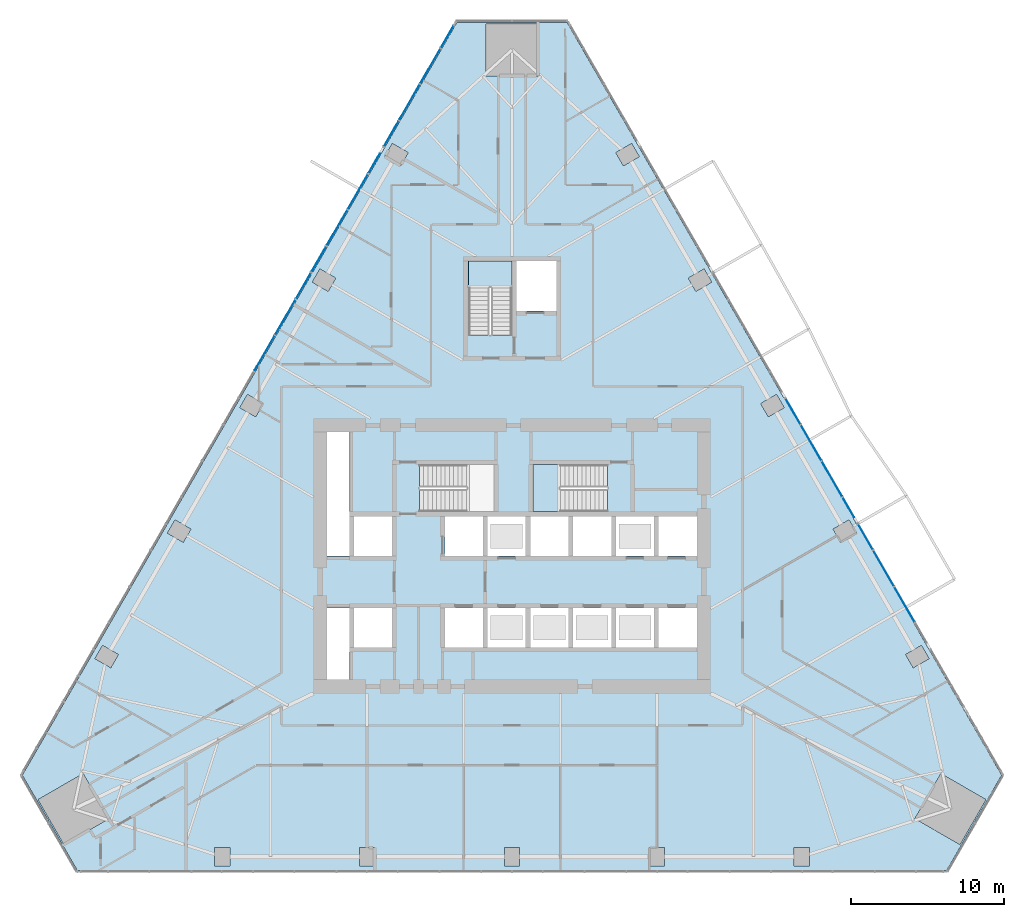
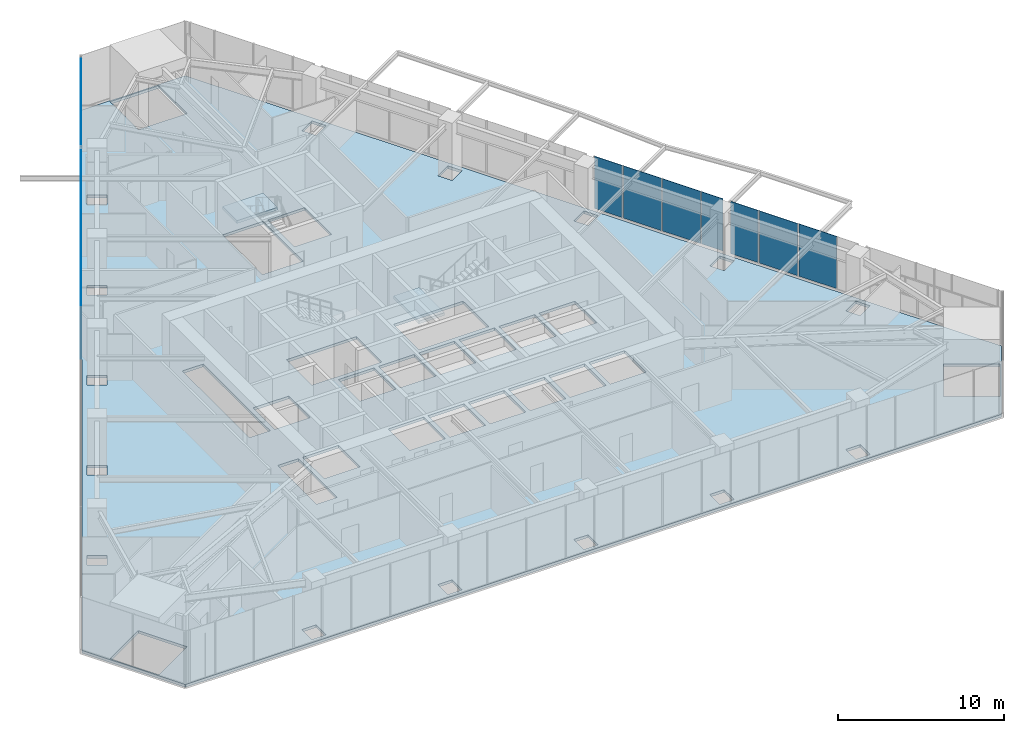
# One storey, part 16 of 26: 18 plates, 3 slabs, 4 elements without a shape of their own.
"""IFC4 building model written with IfcOpenShell, lengths in metres."""

from ifc_helpers import new_model, si_unit, direction, frame, origin, place, context, subcontext, project, spatial, polyline, outline, extrude, material, layer, layer_set, type_object, element, aggregate, save


model = new_model("IFC4")

# Units and contexts
model_context = context("Model", 3, precision=1e-05, world=origin(), true_north=direction((0.0, 1.0)))
body_context = subcontext(model_context, "Body", "Model", "MODEL_VIEW")
ifc_project = project(units=[si_unit("LENGTHUNIT", "METRE"), si_unit("AREAUNIT", "SQUARE_METRE"), si_unit("VOLUMEUNIT", "CUBIC_METRE"), si_unit("PLANEANGLEUNIT", "RADIAN"), si_unit("MASSUNIT", "GRAM", prefix="KILO")], contexts=[model_context])

# Site, building, storey
site_placement = place(None, origin())
site = spatial("IfcSite", under=ifc_project, at=site_placement, CompositionType="ELEMENT")
building_placement = place(site_placement, origin())
building = spatial("IfcBuilding", under=site, at=building_placement, Name="Firuza Gate Tower and Library", CompositionType="ELEMENT")
storey_placement = place(building_placement, frame((0.0, 0.0, 77.800048828125)))
storey = spatial("IfcBuildingStorey", under=building, at=storey_placement, Name="L17", CompositionType="ELEMENT", Elevation=77.800048828125)

# Slab
ifc_material_1 = material(Name="Concrete C40/50", Category="concrete")
ifc_layer_1 = layer(ifc_material_1, 0.199951171875)
ifc_layer_set_1 = layer_set([ifc_layer_1], Name="Composite floor slab 200 C40/50")
slab_type_1 = type_object("IfcSlabType", Name="Composite floor slab 200 C40/50", PredefinedType="FLOOR", material=ifc_layer_set_1)
slab_1_placement = place(storey_placement, frame((0.0, 0.0, -0.199951171875)))
element("IfcSlab", 1, at=slab_1_placement, inside=storey, type_object=slab_type_1, Name="Floor slab L17", PredefinedType="FLOOR", context=body_context, shape_type="SweptSolid", body=[
    extrude(outline(polyline([(42.944091796875, 60.6494140625), (46.544189453125, 54.4140625), (103.455810546875, 54.4140625), (107.055908203125, 60.6494140625), (78.60009765625, 109.9365234375), (71.39990234375, 109.9365234375), (42.944091796875, 60.6494140625)]), holes=[polyline([(55.529296875, 54.714111328125), (55.529296875, 55.9140625), (56.529296875, 55.9140625), (56.529296875, 54.714111328125), (55.529296875, 54.714111328125)]), polyline([(65.0146484375, 54.714111328125), (65.0146484375, 55.9140625), (66.0146484375, 55.9140625), (66.0146484375, 54.714111328125), (65.0146484375, 54.714111328125)]), polyline([(43.980712890625, 59.053955078125), (46.92529296875, 60.75390625), (48.625244140625, 57.8095703125), (45.6806640625, 56.109619140625), (43.980712890625, 59.053955078125)]), polyline([(48.196533203125, 69.14697265625), (49.23583984375, 68.546875), (48.73583984375, 67.680908203125), (47.696533203125, 68.281005859375), (48.196533203125, 69.14697265625)]), polyline([(64.35009765625, 66.89990234375), (62.89990234375, 66.89990234375), (62.89990234375, 71.60009765625), (64.35009765625, 71.60009765625), (64.35009765625, 66.89990234375)]), polyline([(75.89990234375, 69.0), (73.39990234375, 69.0), (73.39990234375, 71.60009765625), (75.89990234375, 71.60009765625), (75.89990234375, 69.0)]), polyline([(73.10009765625, 69.0), (70.60009765625, 69.0), (70.60009765625, 71.60009765625), (73.10009765625, 71.60009765625), (73.10009765625, 69.0)]), polyline([(64.64990234375, 69.0), (64.64990234375, 71.60009765625), (67.14990234375, 71.60009765625), (67.14990234375, 69.0), (64.64990234375, 69.0)]), polyline([(64.64990234375, 75.0), (64.64990234375, 77.60009765625), (67.14990234375, 77.60009765625), (67.14990234375, 75.0), (64.64990234375, 75.0)]), polyline([(75.89990234375, 75.0), (73.39990234375, 75.0), (73.39990234375, 77.60009765625), (75.89990234375, 77.60009765625), (75.89990234375, 75.0)]), polyline([(73.10009765625, 75.0), (70.60009765625, 75.0), (70.60009765625, 77.60009765625), (73.10009765625, 77.60009765625), (73.10009765625, 75.0)]), polyline([(52.939208984375, 77.361572265625), (53.978515625, 76.761474609375), (53.478515625, 75.8955078125), (52.439208984375, 76.495361328125), (52.939208984375, 77.361572265625)]), polyline([(62.89990234375, 75.0), (62.89990234375, 83.10009765625), (64.35009765625, 83.10009765625), (64.35009765625, 75.0), (62.89990234375, 75.0)]), polyline([(68.9404296875, 77.89990234375), (68.9404296875, 80.97998046875), (73.81005859375, 80.97998046875), (73.81005859375, 77.89990234375), (68.9404296875, 77.89990234375)]), polyline([(57.681884765625, 85.575927734375), (58.72119140625, 84.97607421875), (58.22119140625, 84.10986328125), (57.181884765625, 84.7099609375), (57.681884765625, 85.575927734375)]), polyline([(72.159912109375, 89.470458984375), (72.159912109375, 94.300048828125), (75.0, 94.300048828125), (75.0, 89.470458984375), (72.159912109375, 89.470458984375)]), polyline([(62.424560546875, 93.79052734375), (63.463623046875, 93.1904296875), (62.963623046875, 92.324462890625), (61.924560546875, 92.924560546875), (62.424560546875, 93.79052734375)]), polyline([(68.206298828125, 101.405029296875), (67.706298828125, 100.5390625), (66.667236328125, 101.138916015625), (67.167236328125, 102.005126953125), (68.206298828125, 101.405029296875)]), polyline([(76.699951171875, 106.4365234375), (73.300048828125, 106.4365234375), (73.300048828125, 109.83642578125), (76.699951171875, 109.83642578125), (76.699951171875, 106.4365234375)]), polyline([(93.470703125, 54.714111328125), (93.470703125, 55.9140625), (94.470703125, 55.9140625), (94.470703125, 54.714111328125), (93.470703125, 54.714111328125)]), polyline([(74.5, 54.714111328125), (74.5, 55.9140625), (75.5, 55.9140625), (75.5, 54.714111328125), (74.5, 54.714111328125)]), polyline([(83.9853515625, 54.714111328125), (83.9853515625, 55.9140625), (84.9853515625, 55.9140625), (84.9853515625, 54.714111328125), (83.9853515625, 54.714111328125)]), polyline([(104.3193359375, 56.109619140625), (101.374755859375, 57.8095703125), (103.07470703125, 60.75390625), (106.019287109375, 59.053955078125), (104.3193359375, 56.109619140625)]), polyline([(102.303466796875, 68.281005859375), (101.26416015625, 67.680908203125), (100.76416015625, 68.546875), (101.803466796875, 69.14697265625), (102.303466796875, 68.281005859375)]), polyline([(78.699951171875, 69.0), (76.199951171875, 69.0), (76.199951171875, 71.60009765625), (78.699951171875, 71.60009765625), (78.699951171875, 69.0)]), polyline([(81.5, 69.0), (79.0, 69.0), (79.0, 71.60009765625), (81.5, 71.60009765625), (81.5, 69.0)]), polyline([(84.60009765625, 69.0), (84.60009765625, 71.60009765625), (87.10009765625, 71.60009765625), (87.10009765625, 69.0), (84.60009765625, 69.0)]), polyline([(81.800048828125, 69.0), (81.800048828125, 71.60009765625), (84.300048828125, 71.60009765625), (84.300048828125, 69.0), (81.800048828125, 69.0)]), polyline([(84.300048828125, 75.0), (81.800048828125, 75.0), (81.800048828125, 77.60009765625), (84.300048828125, 77.60009765625), (84.300048828125, 75.0)]), polyline([(87.10009765625, 75.0), (84.60009765625, 75.0), (84.60009765625, 77.60009765625), (87.10009765625, 77.60009765625), (87.10009765625, 75.0)]), polyline([(81.5, 75.0), (79.0, 75.0), (79.0, 77.60009765625), (81.5, 77.60009765625), (81.5, 75.0)]), polyline([(76.199951171875, 75.0), (76.199951171875, 77.60009765625), (78.699951171875, 77.60009765625), (78.699951171875, 75.0), (76.199951171875, 75.0)]), polyline([(96.521484375, 75.8955078125), (96.021484375, 76.761474609375), (97.060791015625, 77.361572265625), (97.560791015625, 76.495361328125), (96.521484375, 75.8955078125)]), polyline([(81.259521484375, 77.89990234375), (76.389892578125, 77.89990234375), (76.389892578125, 80.97998046875), (81.259521484375, 80.97998046875), (81.259521484375, 77.89990234375)]), polyline([(92.818115234375, 84.7099609375), (91.77880859375, 84.10986328125), (91.27880859375, 84.97607421875), (92.318115234375, 85.575927734375), (92.818115234375, 84.7099609375)]), polyline([(77.89990234375, 91.050048828125), (75.300048828125, 91.050048828125), (75.300048828125, 94.300048828125), (77.89990234375, 94.300048828125), (77.89990234375, 91.050048828125)]), polyline([(87.036376953125, 92.324462890625), (86.536376953125, 93.1904296875), (87.575439453125, 93.79052734375), (88.075439453125, 92.924560546875), (87.036376953125, 92.324462890625)]), polyline([(82.293701171875, 100.5390625), (81.793701171875, 101.405029296875), (82.832763671875, 102.005126953125), (83.332763671875, 101.138916015625), (82.293701171875, 100.5390625)])]), origin(), (0.0, 0.0, 1.0), 0.199951171875),
])

# Curtain wall, plates
ifc_material_2 = material(Name="Aluminium 6063-T6", Category="aluminium")
ifc_layer_2 = layer(ifc_material_2, 0.14990234375)
ifc_layer_set_2 = layer_set([ifc_layer_2], Name="Unitised curtain wall, offices")
curtain_wall_type = type_object("IfcCurtainWallType", Name="Unitised curtain wall, offices", PredefinedType="NOTDEFINED", material=ifc_layer_set_2)
placement_1 = place(storey_placement, origin())
curtain_wall_1 = element("IfcCurtainWall", 2, at=placement_1, inside=storey, type_object=curtain_wall_type, Name="CW1 L17 E face", PredefinedType="NOTDEFINED")
ifc_material_3 = material(Name="Fritted glass", Category="glass")
ifc_layer_3 = layer(ifc_material_3, 0.030029296875)
ifc_layer_set_3 = layer_set([ifc_layer_3], Name="Fritted glass unit, offices")
plate_type_1 = type_object("IfcPlateType", Name="Fritted glass unit, offices", PredefinedType="CURTAIN_PANEL", material=ifc_layer_set_3)
plate_1_placement = place(storey_placement, frame((98.633056640625, 75.418212890625, 0.14990234375), z_axis=(0.866045447078, 0.49996528239, 0.0), x_axis=(-0.49996528239, 0.866045447078, 0.0)))
plate_1 = element("IfcPlate", 3, at=plate_1_placement, type_object=plate_type_1, Name="Glass unit", PredefinedType="CURTAIN_PANEL", context=body_context, shape_type="SweptSolid", body=[
    extrude(outline(polyline([(0.0, 0.0), (1.9146837277357356, 0.0), (1.9146837277357356, 3.850097656250001), (0.0, 3.850097656250001), (0.0, 0.0)])), origin(), (0.0, 0.0, -1.0), 0.030029296875),
])
plate_2_placement = place(storey_placement, frame((97.405029296875, 77.545166015625, 0.14990234375), z_axis=(0.8660758765, 0.499912568501, 0.0), x_axis=(-0.499912568501, 0.8660758765, 0.0)))
plate_2 = element("IfcPlate", 4, at=plate_2_placement, type_object=plate_type_1, Name="Glass unit", PredefinedType="CURTAIN_PANEL", context=body_context, shape_type="SweptSolid", body=[
    extrude(outline(polyline([(0.0, 0.0), (1.4821927744228482, 0.0), (1.4821927744228482, 3.85009765625), (0.0, 3.85009765625), (0.0, 0.0)])), origin(), (0.0, 0.0, -1.0), 0.030029296875),
])
plate_3_placement = place(storey_placement, frame((93.890380859375, 83.6328125, 0.14990234375), z_axis=(0.865983229881, 0.500073040231, 0.0), x_axis=(-0.500073040231, 0.865983229881, 0.0)))
plate_3 = element("IfcPlate", 5, at=plate_3_placement, type_object=plate_type_1, Name="Glass unit", PredefinedType="CURTAIN_PANEL", context=body_context, shape_type="SweptSolid", body=[
    extrude(outline(polyline([(0.0, 0.0), (1.9289174416002237, 0.0), (1.9289174416002237, 3.85009765625), (0.0, 3.85009765625), (0.0, 0.0)])), origin(), (0.0, 0.0, -1.0), 0.030029296875),
])

curtain_wall_2 = element("IfcCurtainWall", 6, at=placement_1, inside=storey, type_object=curtain_wall_type, Name="CW1 L17 W face", PredefinedType="NOTDEFINED")
plate_4_placement = place(storey_placement, frame((71.158203125, 109.697509765625, 0.14990234375), z_axis=(-0.865982457891, 0.500074377092, 0.0), x_axis=(-0.500074377092, -0.865982457891, 0.0)))
plate_4 = element("IfcPlate", 7, at=plate_4_placement, type_object=plate_type_1, Name="Glass unit", PredefinedType="CURTAIN_PANEL", context=body_context, shape_type="SweptSolid", body=[
    extrude(outline(polyline([(0.0, 0.0), (1.6413574037178806, 0.0), (1.6413574037178806, 3.85009765625), (0.0, 3.85009765625), (0.0, 0.0)])), origin(), (0.0, 0.0, -1.0), 0.030029296875),
])
plate_5_placement = place(storey_placement, frame((67.56396484375, 103.47216796875, 0.14990234375), z_axis=(-0.865988727248, 0.500063520245, 0.0), x_axis=(-0.500063520245, -0.865988727248, 0.0)))
plate_5 = element("IfcPlate", 8, at=plate_5_placement, type_object=plate_type_1, Name="Glass unit", PredefinedType="CURTAIN_PANEL", context=body_context, shape_type="SweptSolid", body=[
    extrude(outline(polyline([(0.0, 0.0), (1.9001492291121527, 0.0), (1.9001492291121527, 3.85009765625), (0.0, 3.85009765625), (0.0, 0.0)])), origin(), (0.0, 0.0, -1.0), 0.030029296875),
])
plate_6_placement = place(storey_placement, frame((66.3359375, 101.34521484375, 0.14990234375), z_axis=(-0.86603470313, 0.499983892715, 0.0), x_axis=(-0.499983892715, -0.86603470313, 0.0)))
plate_6 = element("IfcPlate", 9, at=plate_6_placement, type_object=plate_type_1, Name="Glass unit", PredefinedType="CURTAIN_PANEL", context=body_context, shape_type="SweptSolid", body=[
    extrude(outline(polyline([(0.0, 0.0), (1.4819813351427495, 0.0), (1.4819813351427495, 3.8500976562499996), (0.0, 3.8500976562499996), (0.0, 0.0)])), origin(), (0.0, 0.0, -1.0), 0.030029296875),
])
plate_7_placement = place(storey_placement, frame((62.8212890625, 95.2578125, 0.14990234375), z_axis=(-0.866045447078, 0.49996528239, 0.0), x_axis=(-0.49996528239, -0.866045447078, 0.0)))
plate_7 = element("IfcPlate", 10, at=plate_7_placement, type_object=plate_type_1, Name="Glass unit", PredefinedType="CURTAIN_PANEL", context=body_context, shape_type="SweptSolid", body=[
    extrude(outline(polyline([(0.0, 0.0), (1.9146837277357356, 0.0), (1.9146837277357356, 3.850097656250001), (0.0, 3.850097656250001), (0.0, 0.0)])), origin(), (0.0, 0.0, -1.0), 0.030029296875),
])
plate_8_placement = place(storey_placement, frame((61.823974609375, 93.5302734375, 0.14990234375), z_axis=(-0.866039152359, 0.499976186015, 0.0), x_axis=(-0.499976186015, -0.866039152359, 0.0)))
plate_8 = element("IfcPlate", 11, at=plate_8_placement, type_object=plate_type_1, Name="Glass unit", PredefinedType="CURTAIN_PANEL", context=body_context, shape_type="SweptSolid", body=[
    extrude(outline(polyline([(0.0, 0.0), (1.943451937670766, 0.0), (1.943451937670766, 3.85009765625), (0.0, 3.85009765625), (0.0, 0.0)])), origin(), (0.0, 0.0, -1.0), 0.030029296875),
])

# Plate
ifc_material_4 = material(Name="Glazed ceramic tile")
ifc_layer_4 = layer(ifc_material_4, 0.030029296875)
ifc_layer_set_4 = layer_set([ifc_layer_4], Name="Opaque ceramic panel, offices")
plate_type_2 = type_object("IfcPlateType", Name="Opaque ceramic panel, offices", PredefinedType="CURTAIN_PANEL", material=ifc_layer_set_4)
plate_9_placement = place(storey_placement, frame((101.36669921875, 70.68359375, 0.14990234375), z_axis=(0.866031112038, 0.499990112884, 0.0), x_axis=(-0.499990112884, 0.866031112038, 0.0)))
plate_9 = element("IfcPlate", 12, at=plate_9_placement, type_object=plate_type_2, Name="Opaque ceramic panel", PredefinedType="CURTAIN_PANEL", context=body_context, shape_type="SweptSolid", body=[
    extrude(outline(polyline([(0.0, 0.0), (2.6318879810630036, 0.0), (2.6318879810630036, 3.85009765625), (0.0, 3.85009765625), (0.0, 0.0)])), origin(), (0.0, 0.0, -1.0), 0.030029296875),
])

plate_10_placement = place(storey_placement, frame((100.0107421875, 73.031982421875, 0.14990234375), z_axis=(0.866027539765, 0.499996300355, 0.0), x_axis=(-0.499996300355, 0.866027539765, 0.0)))
plate_10 = element("IfcPlate", 13, at=plate_10_placement, type_object=plate_type_2, Name="Opaque ceramic panel", PredefinedType="CURTAIN_PANEL", context=body_context, shape_type="SweptSolid", body=[
    extrude(outline(polyline([(0.0, 0.0), (2.6753127641636505, 0.0), (2.6753127641636505, 3.850097656250001), (0.0, 3.850097656250001), (0.0, 0.0)])), origin(), (0.0, 0.0, -1.0), 0.030029296875),
])

plate_11_placement = place(storey_placement, frame((96.6240234375, 78.89794921875, 0.14990234375), z_axis=(0.866031967744, 0.499988630717, 0.0), x_axis=(-0.499988630717, 0.866031967744, 0.0)))
plate_11 = element("IfcPlate", 14, at=plate_11_placement, type_object=plate_type_2, Name="Opaque ceramic panel", PredefinedType="CURTAIN_PANEL", context=body_context, shape_type="SweptSolid", body=[
    extrude(outline(polyline([(0.0, 0.0), (2.6465445536285275, 0.0), (2.6465445536285275, 3.85009765625), (0.0, 3.85009765625), (0.0, 0.0)])), origin(), (0.0, 0.0, -1.0), 0.030029296875),
])

plate_12_placement = place(storey_placement, frame((95.2607421875, 81.259033203125, 0.14990234375), z_axis=(0.86604960586, 0.499958078433, 0.0), x_axis=(-0.499958078433, 0.86604960586, 0.0)))
plate_12 = element("IfcPlate", 15, at=plate_12_placement, type_object=plate_type_2, Name="Opaque ceramic panel", PredefinedType="CURTAIN_PANEL", context=body_context, shape_type="SweptSolid", body=[
    extrude(outline(polyline([(0.0, 0.0), (2.6608676267310196, 0.0), (2.6608676267310196, 3.85009765625), (0.0, 3.85009765625), (0.0, 0.0)])), origin(), (0.0, 0.0, -1.0), 0.030029296875),
])

aggregate(curtain_wall_1, [plate_9, plate_10, plate_1, plate_2, plate_11, plate_12, plate_3])

plate_13_placement = place(storey_placement, frame((70.297607421875, 108.20703125, 0.14990234375), z_axis=(-0.866013176292, 0.50002117804, 0.0), x_axis=(-0.50002117804, -0.866013176292, 0.0)))
plate_13 = element("IfcPlate", 16, at=plate_13_placement, type_object=plate_type_2, Name="Opaque ceramic panel", PredefinedType="CURTAIN_PANEL", context=body_context, shape_type="SweptSolid", body=[
    extrude(outline(polyline([(0.0, 0.0), (2.6175649114610273, 0.0), (2.6175649114610273, 3.85009765625), (0.0, 3.85009765625), (0.0, 0.0)])), origin(), (0.0, 0.0, -1.0), 0.030029296875),
])

plate_14_placement = place(storey_placement, frame((68.94873046875, 105.870849609375, 0.14990234375), z_axis=(-0.866045013077, 0.499966034171, 0.0), x_axis=(-0.499966034171, -0.866045013077, 0.0)))
plate_14 = element("IfcPlate", 17, at=plate_14_placement, type_object=plate_type_2, Name="Opaque ceramic panel", PredefinedType="CURTAIN_PANEL", context=body_context, shape_type="SweptSolid", body=[
    extrude(outline(polyline([(0.0, 0.0), (2.689635836420977, 0.0), (2.689635836420977, 3.85009765625), (0.0, 3.85009765625), (0.0, 0.0)])), origin(), (0.0, 0.0, -1.0), 0.030029296875),
])

plate_15_placement = place(storey_placement, frame((65.554931640625, 99.992431640625, 0.14990234375), z_axis=(-0.866031112038, 0.499990112884, 0.0), x_axis=(-0.499990112884, -0.866031112038, 0.0)))
plate_15 = element("IfcPlate", 18, at=plate_15_placement, type_object=plate_type_2, Name="Opaque ceramic panel", PredefinedType="CURTAIN_PANEL", context=body_context, shape_type="SweptSolid", body=[
    extrude(outline(polyline([(0.0, 0.0), (2.6318879810630036, 0.0), (2.6318879810630036, 3.85009765625), (0.0, 3.85009765625), (0.0, 0.0)])), origin(), (0.0, 0.0, -1.0), 0.030029296875),
])

plate_16_placement = place(storey_placement, frame((64.198974609375, 97.643798828125, 0.14990234375), z_axis=(-0.866004723184, 0.50003581814, 0.0), x_axis=(-0.50003581814, -0.866004723184, 0.0)))
plate_16 = element("IfcPlate", 19, at=plate_16_placement, type_object=plate_type_2, Name="Opaque ceramic panel", PredefinedType="CURTAIN_PANEL", context=body_context, shape_type="SweptSolid", body=[
    extrude(outline(polyline([(0.0, 0.0), (2.6751013344439425, 0.0), (2.6751013344439425, 3.850097656250001), (0.0, 3.850097656250001), (0.0, 0.0)])), origin(), (0.0, 0.0, -1.0), 0.030029296875),
])

plate_17_placement = place(storey_placement, frame((60.812255859375, 91.77783203125, 0.14990234375), z_axis=(-0.866008903822, 0.500028577684, 0.0), x_axis=(-0.500028577684, -0.866008903822, 0.0)))
plate_17 = element("IfcPlate", 20, at=plate_17_placement, type_object=plate_type_2, Name="Opaque ceramic panel", PredefinedType="CURTAIN_PANEL", context=body_context, shape_type="SweptSolid", body=[
    extrude(outline(polyline([(0.0, 0.0), (2.64633312285796, 0.0), (2.64633312285796, 3.8500976562499996), (0.0, 3.8500976562499996), (0.0, 0.0)])), origin(), (0.0, 0.0, -1.0), 0.030029296875),
])

plate_18_placement = place(storey_placement, frame((59.448974609375, 89.416748046875, 0.14990234375), z_axis=(-0.866026668906, 0.499997808738, 0.0), x_axis=(-0.499997808738, -0.866026668906, 0.0)))
plate_18 = element("IfcPlate", 21, at=plate_18_placement, type_object=plate_type_2, Name="Opaque ceramic panel", PredefinedType="CURTAIN_PANEL", context=body_context, shape_type="SweptSolid", body=[
    extrude(outline(polyline([(0.0, 0.0), (2.6606561916387736, 0.0), (2.6606561916387736, 3.85009765625), (0.0, 3.85009765625), (0.0, 0.0)])), origin(), (0.0, 0.0, -1.0), 0.030029296875),
])

aggregate(curtain_wall_2, [plate_4, plate_13, plate_14, plate_5, plate_6, plate_15, plate_16, plate_7, plate_8, plate_17, plate_18])

# Stair, slab
ifc_material_5 = material(Name="Concrete C35/45", Category="concrete")
stair_type_1 = type_object("IfcStairType", Name="Exit stair ST5", PredefinedType="HALF_TURN_STAIR", material=ifc_material_5)
stair_1 = element("IfcStair", 22, at=placement_1, inside=storey, type_object=stair_type_1, Name="L17 Stair ST2", PredefinedType="HALF_TURN_STAIR")
ifc_material_6 = material(Name="Concrete C35/45", Category="concrete")
ifc_layer_5 = layer(ifc_material_6, 0.199951171875)
ifc_layer_set_5 = layer_set([ifc_layer_5], Name="Stair landing 200")
slab_type_2 = type_object("IfcSlabType", Name="Stair landing 200", PredefinedType="LANDING", material=ifc_layer_set_5)
placement_2 = place(storey_placement, frame((0.0, 0.0, 1.89990234375)))
slab_2 = element("IfcSlab", 23, at=placement_2, type_object=slab_type_2, Name="ST2 landing 1", PredefinedType="LANDING", context=body_context, shape_type="SweptSolid", body=[
    extrude(outline(polyline([(78.179931640625, 80.97998046875), (76.389892578125, 80.97998046875), (76.389892578125, 77.89990234375), (78.179931640625, 77.89990234375), (78.179931640625, 80.97998046875)])), origin(), (0.0, 0.0, 1.0), 0.199951171875),
])
aggregate(stair_1, [slab_2])

ifc_material_7 = material(Name="Concrete C35/45", Category="concrete")
stair_type_2 = type_object("IfcStairType", Name="Exit stair ST14", PredefinedType="HALF_TURN_STAIR", material=ifc_material_7)
stair_2 = element("IfcStair", 24, at=placement_1, inside=storey, type_object=stair_type_2, Name="L17 Stair ST3", PredefinedType="HALF_TURN_STAIR")
slab_3 = element("IfcSlab", 25, at=placement_2, type_object=slab_type_2, Name="ST3 landing 1", PredefinedType="LANDING", context=body_context, shape_type="SweptSolid", body=[
    extrude(outline(polyline([(75.0, 92.550048828125), (75.0, 94.300048828125), (72.159912109375, 94.300048828125), (72.159912109375, 92.550048828125), (75.0, 92.550048828125)])), origin(), (0.0, 0.0, 1.0), 0.199951171875),
])
aggregate(stair_2, [slab_3])

save(model, "model.ifc")
